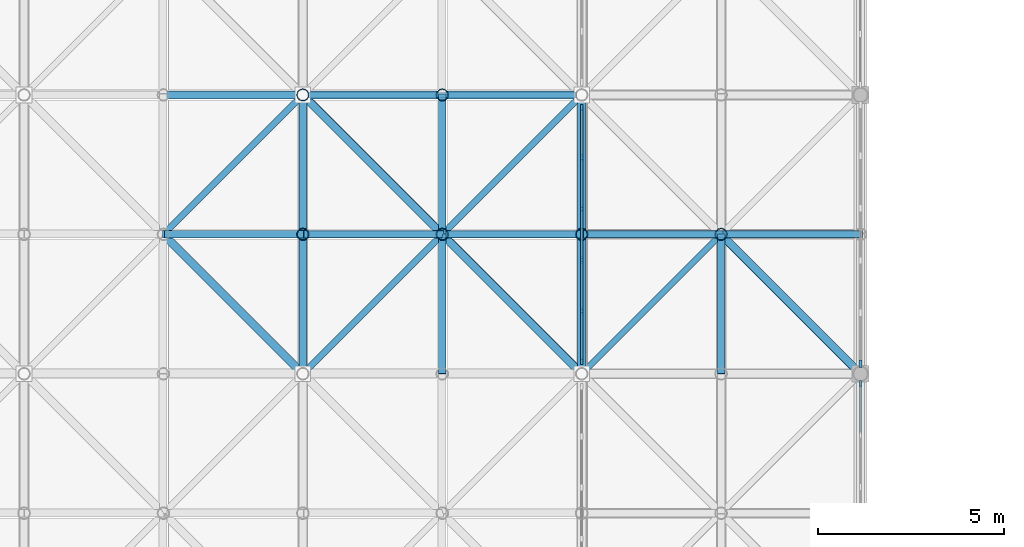
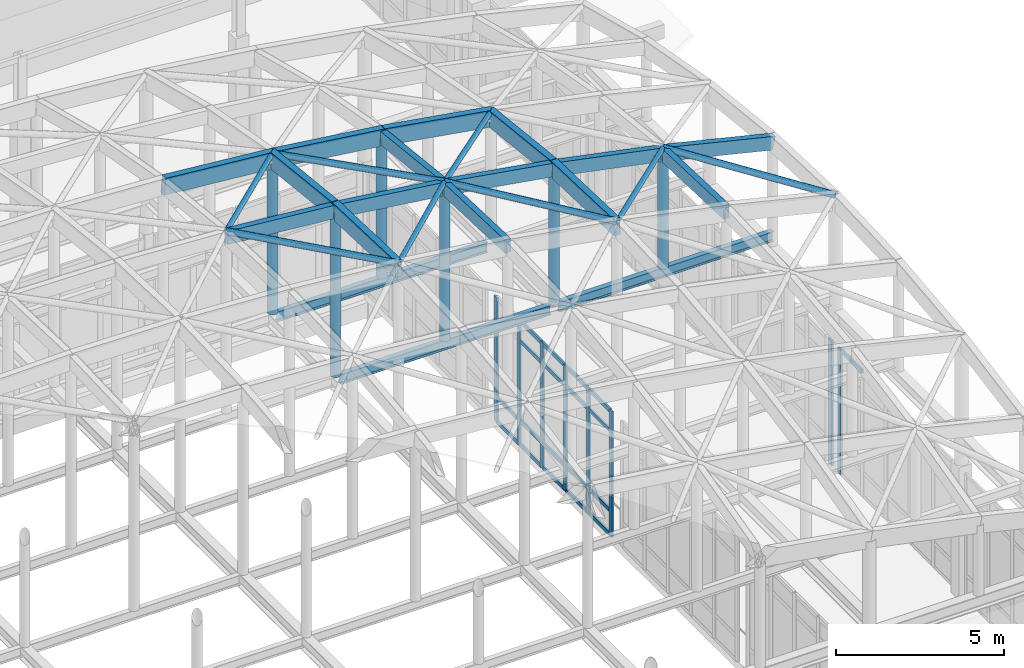
# One storey, part 46 of 131: 56 members, 3 beams, 3 elements without a shape of their own.
"""IFC4 building model written with IfcOpenShell, lengths in metres."""

import ifcopenshell
import ifcopenshell.guid

model = None  # the IFC model being written
_history = None  # IfcOwnerHistory: only IFC2X3 demands one
_inside = {}  # id of a spatial element -> (the spatial element, [elements in it])
_under = {}  # id of a project, library or spatial element -> (it, [spatial elements below it])
_declared = {}  # id of a project -> (the project, [libraries it declares])
_typed = {}  # id of a type object -> (the type object, [elements of that type])
_made_of = {}  # id of a material, layer set ... -> (it, [elements and type objects made of it])


def new_model(schema):
    """Start an empty IFC model of exactly this schema.

    Asked for "IFC4X3", IfcOpenShell would pick the latest addendum, in which some entities
    have other attributes; the version numbers below select the first issue.
    IFC2X3 requires an IfcOwnerHistory on every rooted entity: one is made here for all.
    """
    global model, _history
    if schema == "IFC4X3":
        model = ifcopenshell.file(schema_version=(4, 3, 0, 0))
    else:
        model = ifcopenshell.file(schema=schema)
    _inside.clear()
    _under.clear()
    _declared.clear()
    _typed.clear()
    _made_of.clear()
    _history = None
    if model.schema == "IFC2X3":
        org = make("IfcOrganization", Name="unknown")
        user = make(
            "IfcPersonAndOrganization",
            ThePerson=make("IfcPerson", FamilyName="unknown"),
            TheOrganization=org,
        )
        app = make(
            "IfcApplication",
            ApplicationDeveloper=org,
            Version="unknown",
            ApplicationFullName="unknown",
            ApplicationIdentifier="unknown",
        )
        _history = make(
            "IfcOwnerHistory",
            OwningUser=user,
            OwningApplication=app,
            ChangeAction="ADDED",
            CreationDate=0,
        )
    return model


def make(cls, **values):
    """One entity of the class cls with the attributes given. An attribute that is None is left unset."""
    return model.create_entity(
        cls, **{name: value for name, value in values.items() if value is not None}
    )


def rooted(cls, **values):
    """An entity with a GlobalId (a new one), such as an element, a storey or a relation."""
    return make(cls, GlobalId=ifcopenshell.guid.new(), OwnerHistory=_history, **values)


def si_unit(unit_type, name, prefix=None):
    """IfcSIUnit, for example si_unit("LENGTHUNIT", "METRE", prefix="MILLI")."""
    return make("IfcSIUnit", UnitType=unit_type, Prefix=prefix, Name=name)


def assignment(units):
    """IfcUnitAssignment: the units of a project."""
    return None if units is None else make("IfcUnitAssignment", Units=units)


def point(xyz):
    """IfcCartesianPoint."""
    return None if xyz is None else make("IfcCartesianPoint", Coordinates=xyz)


def direction(xyz):
    """IfcDirection."""
    return None if xyz is None else make("IfcDirection", DirectionRatios=xyz)


def frame(location, z_axis=None, x_axis=None):
    """IfcAxis2Placement3D, a coordinate frame: its origin and axes. An axis left out is left unset."""
    return make(
        "IfcAxis2Placement3D",
        Location=point(location),
        Axis=direction(z_axis),
        RefDirection=direction(x_axis),
    )


def frame_2d(location, x_axis=None):
    """IfcAxis2Placement2D, a coordinate frame in the plane: its origin and x axis."""
    return make(
        "IfcAxis2Placement2D", Location=point(location), RefDirection=direction(x_axis)
    )


def origin():
    """The frame at (0, 0, 0) with its axes left unset."""
    return frame((0.0, 0.0, 0.0))


def origin_2d():
    """The frame at (0, 0) in the plane with its x axis left unset."""
    return frame_2d((0.0, 0.0))


def place(relative_to, where):
    """IfcLocalPlacement: puts the frame where relative to a parent placement (None: the world)."""
    return make(
        "IfcLocalPlacement", PlacementRelTo=relative_to, RelativePlacement=where
    )


def context(
    kind, dimensions, precision=None, world=None, true_north=None, identifier=None
):
    """IfcGeometricRepresentationContext, for example the 3D "Model" context."""
    return make(
        "IfcGeometricRepresentationContext",
        ContextIdentifier=identifier,
        ContextType=kind,
        CoordinateSpaceDimension=dimensions,
        Precision=precision,
        WorldCoordinateSystem=world,
        TrueNorth=true_north,
    )


def subcontext(parent, identifier, kind, view, scale=None):
    """IfcGeometricRepresentationSubContext, for example "Body" below "Model"."""
    return make(
        "IfcGeometricRepresentationSubContext",
        ContextIdentifier=identifier,
        ContextType=kind,
        ParentContext=parent,
        TargetScale=scale,
        TargetView=view,
    )


def project(units=None, contexts=None):
    """IfcProject with its units and contexts."""
    return rooted(
        "IfcProject",
        Name="project",
        RepresentationContexts=contexts,
        UnitsInContext=assignment(units),
    )


def spatial(cls, under=None, at=None, **own):
    """A site, building, storey or space (cls), placed at a placement, below another one or the project."""
    s = rooted(cls, ObjectPlacement=at, **own)
    if under is not None:
        _under.setdefault(under.id(), (under, []))[1].append(s)
    return s


def profile(cls, at=None, kind="AREA", **sizes):
    """A parametric profile (cls). Its sizes go by their IFC names, for example OverallWidth=200.0."""
    return make(cls, ProfileType=kind, Position=at, **sizes)


def rectangle(**sizes):
    """IfcRectangleProfileDef."""
    return profile("IfcRectangleProfileDef", **sizes)


def hollow_circle(**sizes):
    """IfcCircleHollowProfileDef."""
    return profile("IfcCircleHollowProfileDef", **sizes)


def i_section(**sizes):
    """IfcIShapeProfileDef."""
    return profile("IfcIShapeProfileDef", **sizes)


def extrude(swept, where, along, depth):
    """IfcExtrudedAreaSolid: the profile swept, set in the frame where, extruded along a direction by depth."""
    return make(
        "IfcExtrudedAreaSolid",
        SweptArea=swept,
        Position=where,
        ExtrudedDirection=direction(along),
        Depth=depth,
    )


def shape(context_of_items, identifier, shape_type, items):
    """IfcShapeRepresentation: the items that make up one representation, for example the "Body"."""
    return make(
        "IfcShapeRepresentation",
        ContextOfItems=context_of_items,
        RepresentationIdentifier=identifier,
        RepresentationType=shape_type,
        Items=items,
    )


def material(Name=None, Category=None):
    """IfcMaterial."""
    return make("IfcMaterial", Name=Name, Category=Category)


def layer(
    of_material, thickness, ventilated=None, Name=None, Category=None, Priority=None
):
    """IfcMaterialLayer: one layer of a wall or slab, of a material (None: an air gap)."""
    return make(
        "IfcMaterialLayer",
        Material=of_material,
        LayerThickness=thickness,
        IsVentilated=ventilated,
        Name=Name,
        Category=Category,
        Priority=Priority,
    )


def layer_set(layers, Name=None):
    """IfcMaterialLayerSet."""
    return make("IfcMaterialLayerSet", MaterialLayers=layers, LayerSetName=Name)


def material_profile(
    of_material, cross_section, Name=None, Category=None, Priority=None
):
    """IfcMaterialProfile: a cross section and its material."""
    return make(
        "IfcMaterialProfile",
        Name=Name,
        Material=of_material,
        Profile=cross_section,
        Priority=Priority,
        Category=Category,
    )


def profile_set(profiles, Name=None, composite=None):
    """IfcMaterialProfileSet."""
    return make(
        "IfcMaterialProfileSet",
        Name=Name,
        MaterialProfiles=profiles,
        CompositeProfile=composite,
    )


def made_of(thing, what):
    """Note that an element or type object is made of a material, layer set ...; save() writes the relation."""
    if what is not None:
        _made_of.setdefault(what.id(), (what, []))[1].append(thing)
    return thing


def type_object(cls, material=None, **own):
    """A type object (cls), such as IfcWallType, which elements share."""
    return made_of(rooted(cls, **own), material)


def element(
    cls,
    number,
    at=None,
    inside=None,
    cuts=None,
    type_object=None,
    material=None,
    context=None,
    identifier="Body",
    shape_type=None,
    held_by="IfcProductDefinitionShape",
    body=None,
    shapes=None,
    **own,
):
    """One element of the class cls, such as IfcWall. Its Tag is "e" and its number.

    at: its placement. inside: the storey or other place that contains it. cuts: it is an
    opening in that element (IfcRelVoidsElement). A single representation is given by context,
    identifier, shape_type and body (its items); several are given by shapes. held_by: the class
    of the entity that holds the representations. save() writes the other relations.
    """
    e = rooted(cls, Tag="e%d" % number, ObjectPlacement=at, **own)
    if body is not None:
        shapes = [shape(context, identifier, shape_type, body)]
    if shapes is not None:
        e.Representation = make(held_by, Representations=shapes)
    if inside is not None:
        _inside.setdefault(inside.id(), (inside, []))[1].append(e)
    if cuts is not None:
        rooted(
            "IfcRelVoidsElement", RelatingBuildingElement=cuts, RelatedOpeningElement=e
        )
    if type_object is not None:
        _typed.setdefault(type_object.id(), (type_object, []))[1].append(e)
    return made_of(e, material)


def aggregate(whole, parts):
    """IfcRelAggregates: a whole, such as a stair, and the parts it consists of."""
    return rooted("IfcRelAggregates", RelatingObject=whole, RelatedObjects=parts)


def save(model, path):
    """Write the relations noted so far, then the file.

    IfcRelAggregates (storeys below a building ...), IfcRelContainedInSpatialStructure (elements
    in a storey), IfcRelDefinesByType, IfcRelAssociatesMaterial and IfcRelDeclares: one each for
    every whole, place, type object, material and project.
    """
    for whole, parts in _under.values():
        aggregate(whole, parts)
    for where, things in _inside.values():
        rooted(
            "IfcRelContainedInSpatialStructure",
            RelatedElements=things,
            RelatingStructure=where,
        )
    for kind, things in _typed.values():
        rooted("IfcRelDefinesByType", RelatedObjects=things, RelatingType=kind)
    for what, things in _made_of.values():
        rooted("IfcRelAssociatesMaterial", RelatedObjects=things, RelatingMaterial=what)
    for by, libraries in _declared.values():
        rooted("IfcRelDeclares", RelatingContext=by, RelatedDefinitions=libraries)
    model.write(path)


model = new_model("IFC4")

# Units and contexts
model_context = context("Model", 3, precision=1e-05, world=origin(), true_north=direction((0.0, 1.0)))
body_context = subcontext(model_context, "Body", "Model", "MODEL_VIEW")
ifc_project = project(units=[si_unit("LENGTHUNIT", "METRE"), si_unit("AREAUNIT", "SQUARE_METRE"), si_unit("VOLUMEUNIT", "CUBIC_METRE"), si_unit("PLANEANGLEUNIT", "RADIAN"), si_unit("MASSUNIT", "GRAM", prefix="KILO")], contexts=[model_context])

# Site, building, storey
site_placement = place(None, origin())
site = spatial("IfcSite", under=ifc_project, at=site_placement, CompositionType="ELEMENT")
building_placement = place(site_placement, origin())
building = spatial("IfcBuilding", under=site, at=building_placement, Name="Dalvernix Boulevard General Hospital", CompositionType="ELEMENT")
storey_placement = place(building_placement, frame((0.0, 0.0, 9.300048828125)))
storey = spatial("IfcBuildingStorey", under=building, at=storey_placement, Name="L02", CompositionType="ELEMENT", Elevation=9.300048828125)

# Beams
ifc_material_1 = material(Name="Steel S355", Category="steel")
ifc_material_profile_1 = material_profile(ifc_material_1, i_section(OverallWidth=0.169921875, OverallDepth=0.360107421875, WebThickness=0.008056640625, FlangeThickness=0.0126953125, FilletRadius=0.01806640625, at=origin_2d()), Name="IPE 360")
ifc_profile_set_1 = profile_set([ifc_material_profile_1], Name="Steel S355")
beam_type = type_object("IfcBeamType", Name="BM-RB-08", PredefinedType="BEAM", material=ifc_profile_set_1)
beam_1_placement = place(storey_placement, frame((97.64208984375, 50.25, 6.219970703125), z_axis=(1.0, 0.0, 0.0), x_axis=(0.0, 1.0, 0.0)))
element("IfcBeam", 1, at=beam_1_placement, inside=storey, type_object=beam_type, Name="ROOF TRUSS Gridshell cross tie 10-5", PredefinedType="BEAM", context=body_context, shape_type="SweptSolid", body=[
    extrude(i_section(OverallWidth=0.169921875, OverallDepth=0.360107421875, WebThickness=0.008056640625, FlangeThickness=0.0126953125, FilletRadius=0.01806640625, at=origin_2d()), origin(), (0.0, 0.0, 1.0), 7.2158203125),
])
beam_2_placement = place(storey_placement, frame((105.14208984375, 50.25, 6.219970703125), z_axis=(1.0, 0.0, 0.0), x_axis=(0.0, 1.0, 0.0)))
element("IfcBeam", 2, at=beam_2_placement, inside=storey, type_object=beam_type, Name="ROOF TRUSS Gridshell cross tie 12-5", PredefinedType="BEAM", context=body_context, shape_type="SweptSolid", body=[
    extrude(i_section(OverallWidth=0.169921875, OverallDepth=0.360107421875, WebThickness=0.008056640625, FlangeThickness=0.0126953125, FilletRadius=0.01806640625, at=origin_2d()), origin(), (0.0, 0.0, 1.0), 7.35791015625),
])
beam_3_placement = place(storey_placement, frame((97.64208984375, 54.0, 6.219970703125), z_axis=(1.0, 0.0, 0.0), x_axis=(0.0, 1.0, 0.0)))
element("IfcBeam", 3, at=beam_3_placement, inside=storey, type_object=beam_type, Name="ROOF TRUSS Gridshell cross tie 10-6", PredefinedType="BEAM", context=body_context, shape_type="SweptSolid", body=[
    extrude(i_section(OverallWidth=0.169921875, OverallDepth=0.360107421875, WebThickness=0.008056640625, FlangeThickness=0.0126953125, FilletRadius=0.01806640625, at=origin_2d()), origin(), (0.0, 0.0, 1.0), 7.2158203125),
])

# Curtain wall, member
ifc_material_2 = material(Name="Thermally broken aluminium and solar-control glass curtain wall", Category="aluminium")
ifc_layer_1 = layer(ifc_material_2, 0.179931640625)
ifc_layer_set_1 = layer_set([ifc_layer_1], Name="Thermally broken aluminium and solar-control glass curtain wall (CW-CW-B-70x46)")
curtain_wall_type_1 = type_object("IfcCurtainWallType", Name="CW-CW-B-70x46", PredefinedType="USERDEFINED", material=ifc_layer_set_1)
curtain_wall_1_placement = place(storey_placement, origin())
curtain_wall_1 = element("IfcCurtainWall", 4, at=curtain_wall_1_placement, inside=storey, type_object=curtain_wall_type_1, Name="L02 curtain wall CW-B-70x46 15-5", ObjectType="GLAZED FACADE", PredefinedType="USERDEFINED")
ifc_material_3 = material(Name="Aluminium EN AW-6060", Category="aluminium")
ifc_material_profile_2 = material_profile(ifc_material_3, rectangle(XDim=0.06494140625, YDim=0.179931640625, at=origin_2d()), Name="ALU MULL 65x180")
ifc_profile_set_2 = profile_set([ifc_material_profile_2], Name="Aluminium EN AW-6060")
member_type_1 = type_object("IfcMemberType", Name="MEM-CW-M2", PredefinedType="MULLION", material=ifc_profile_set_2)
member_1_placement = place(storey_placement, frame((112.5, 46.232421875, 0.0), z_axis=(0.0, 0.0, 1.0), x_axis=(1.0, 0.0, 0.0)))
member_1 = element("IfcMember", 5, at=member_1_placement, type_object=member_type_1, Name="CW-B-70x46 mullion 1", PredefinedType="MULLION", context=body_context, shape_type="SweptSolid", body=[
    extrude(rectangle(XDim=0.06494140625, YDim=0.179931640625, at=origin_2d()), origin(), (0.0, 0.0, 1.0), 4.550048828125),
])

# Curtain wall, members
ifc_layer_2 = layer(ifc_material_2, 0.179931640625)
ifc_layer_set_2 = layer_set([ifc_layer_2], Name="Thermally broken aluminium and solar-control glass curtain wall (CW-CW-B-69x46)")
curtain_wall_type_2 = type_object("IfcCurtainWallType", Name="CW-CW-B-69x46", PredefinedType="USERDEFINED", material=ifc_layer_set_2)
curtain_wall_2_placement = place(storey_placement, origin())
curtain_wall_2 = element("IfcCurtainWall", 6, at=curtain_wall_2_placement, inside=storey, type_object=curtain_wall_type_2, Name="L02 curtain wall CW-B-69x46 14-6", ObjectType="GLAZED FACADE", PredefinedType="USERDEFINED")
member_2_placement = place(storey_placement, frame((105.0, 46.842529296875, 0.0), z_axis=(0.0, 0.0, 1.0), x_axis=(-1.0, 0.0, 0.0)))
member_2 = element("IfcMember", 7, at=member_2_placement, type_object=member_type_1, Name="CW-B-69x46 mullion 1", PredefinedType="MULLION", context=body_context, shape_type="SweptSolid", body=[
    extrude(rectangle(XDim=0.06494140625, YDim=0.179931640625, at=origin_2d()), origin(), (0.0, 0.0, 1.0), 4.550048828125),
])
member_3_placement = place(storey_placement, frame((105.0, 48.18603515625, 0.0), z_axis=(0.0, 0.0, 1.0), x_axis=(-1.0, 0.0, 0.0)))
member_3 = element("IfcMember", 8, at=member_3_placement, type_object=member_type_1, Name="CW-B-69x46 mullion 2", PredefinedType="MULLION", context=body_context, shape_type="SweptSolid", body=[
    extrude(rectangle(XDim=0.06494140625, YDim=0.179931640625, at=origin_2d()), origin(), (0.0, 0.0, 1.0), 4.550048828125),
])
member_4_placement = place(storey_placement, frame((105.0, 49.56201171875, 0.0), z_axis=(0.0, 0.0, 1.0), x_axis=(-1.0, 0.0, 0.0)))
member_4 = element("IfcMember", 9, at=member_4_placement, type_object=member_type_1, Name="CW-B-69x46 mullion 3", PredefinedType="MULLION", context=body_context, shape_type="SweptSolid", body=[
    extrude(rectangle(XDim=0.06494140625, YDim=0.179931640625, at=origin_2d()), origin(), (0.0, 0.0, 1.0), 4.550048828125),
])
member_5_placement = place(storey_placement, frame((105.0, 50.93798828125, 0.0), z_axis=(0.0, 0.0, 1.0), x_axis=(-1.0, 0.0, 0.0)))
member_5 = element("IfcMember", 10, at=member_5_placement, type_object=member_type_1, Name="CW-B-69x46 mullion 4", PredefinedType="MULLION", context=body_context, shape_type="SweptSolid", body=[
    extrude(rectangle(XDim=0.06494140625, YDim=0.179931640625, at=origin_2d()), origin(), (0.0, 0.0, 1.0), 4.550048828125),
])
member_6_placement = place(storey_placement, frame((105.0, 52.31396484375, 0.0), z_axis=(0.0, 0.0, 1.0), x_axis=(-1.0, 0.0, 0.0)))
member_6 = element("IfcMember", 11, at=member_6_placement, type_object=member_type_1, Name="CW-B-69x46 mullion 5", PredefinedType="MULLION", context=body_context, shape_type="SweptSolid", body=[
    extrude(rectangle(XDim=0.06494140625, YDim=0.179931640625, at=origin_2d()), origin(), (0.0, 0.0, 1.0), 4.550048828125),
])
member_7_placement = place(storey_placement, frame((105.0, 53.657470703125, 0.0), z_axis=(0.0, 0.0, 1.0), x_axis=(-1.0, 0.0, 0.0)))
member_7 = element("IfcMember", 12, at=member_7_placement, type_object=member_type_1, Name="CW-B-69x46 mullion 6", PredefinedType="MULLION", context=body_context, shape_type="SweptSolid", body=[
    extrude(rectangle(XDim=0.06494140625, YDim=0.179931640625, at=origin_2d()), origin(), (0.0, 0.0, 1.0), 4.550048828125),
])

# Curtain wall, member
ifc_layer_3 = layer(ifc_material_2, 0.199951171875)
ifc_layer_set_3 = layer_set([ifc_layer_3], Name="Thermally broken aluminium and solar-control glass curtain wall (CW-CW-C-70x46)")
curtain_wall_type_3 = type_object("IfcCurtainWallType", Name="CW-CW-C-70x46", PredefinedType="USERDEFINED", material=ifc_layer_set_3)
curtain_wall_3_placement = place(storey_placement, origin())
curtain_wall_3 = element("IfcCurtainWall", 13, at=curtain_wall_3_placement, inside=storey, type_object=curtain_wall_type_3, Name="L02 curtain wall CW-C-70x46 15-6", ObjectType="GLAZED FACADE", PredefinedType="USERDEFINED")
ifc_material_profile_3 = material_profile(ifc_material_3, rectangle(XDim=0.070068359375, YDim=0.199951171875, at=origin_2d()), Name="ALU MULL 70x200")
ifc_profile_set_3 = profile_set([ifc_material_profile_3], Name="Aluminium EN AW-6060")
member_type_2 = type_object("IfcMemberType", Name="MEM-CW-M3", PredefinedType="MULLION", material=ifc_profile_set_3)
member_8_placement = place(storey_placement, frame((112.5, 46.77001953125, 0.0), z_axis=(0.0, 0.0, 1.0), x_axis=(1.0, 0.0, 0.0)))
member_8 = element("IfcMember", 14, at=member_8_placement, type_object=member_type_2, Name="CW-C-70x46 mullion 6", PredefinedType="MULLION", context=body_context, shape_type="SweptSolid", body=[
    extrude(rectangle(XDim=0.070068359375, YDim=0.199951171875, at=origin_2d()), origin(), (0.0, 0.0, 1.0), 4.550048828125),
])
aggregate(curtain_wall_3, [member_8])

# Member
ifc_material_profile_4 = material_profile(ifc_material_3, rectangle(XDim=0.06494140625, YDim=0.139892578125, at=origin_2d()), Name="ALU TRAN 65x140")
ifc_profile_set_4 = profile_set([ifc_material_profile_4], Name="Aluminium EN AW-6060")
member_type_3 = type_object("IfcMemberType", Name="MEM-CW-T2", PredefinedType="USERDEFINED", material=ifc_profile_set_4)
member_9_placement = place(storey_placement, frame((112.5, 46.199951171875, 4.517333984375), z_axis=(0.0, -1.0, 0.0), x_axis=(1.0, 0.0, 0.0)))
member_9 = element("IfcMember", 15, at=member_9_placement, type_object=member_type_3, Name="CW-B-70x46 transom 1.4", ObjectType="TRANSOM", PredefinedType="USERDEFINED", context=body_context, shape_type="SweptSolid", body=[
    extrude(rectangle(XDim=0.06494140625, YDim=0.139892578125, at=origin_2d()), origin(), (0.0, 0.0, 1.0), 1.308349609375),
])

aggregate(curtain_wall_1, [member_1, member_9])

member_10_placement = place(storey_placement, frame((105.0, 46.875, 0.032470703125), z_axis=(0.0, 1.0, 0.0), x_axis=(-1.0, 0.0, 0.0)))
member_10 = element("IfcMember", 16, at=member_10_placement, type_object=member_type_3, Name="CW-B-69x46 transom 1.1", ObjectType="TRANSOM", PredefinedType="USERDEFINED", context=body_context, shape_type="SweptSolid", body=[
    extrude(rectangle(XDim=0.06494140625, YDim=0.139892578125, at=origin_2d()), origin(), (0.0, 0.0, 1.0), 1.278564453125),
])

member_11_placement = place(storey_placement, frame((105.0, 46.875, 0.89990234375), z_axis=(0.0, 1.0, 0.0), x_axis=(-1.0, 0.0, 0.0)))
member_11 = element("IfcMember", 17, at=member_11_placement, type_object=member_type_3, Name="CW-B-69x46 transom 1.2", ObjectType="TRANSOM", PredefinedType="USERDEFINED", context=body_context, shape_type="SweptSolid", body=[
    extrude(rectangle(XDim=0.06494140625, YDim=0.139892578125, at=origin_2d()), origin(), (0.0, 0.0, 1.0), 1.278564453125),
])

member_12_placement = place(storey_placement, frame((105.0, 46.875, 3.800048828125), z_axis=(0.0, 1.0, 0.0), x_axis=(-1.0, 0.0, 0.0)))
member_12 = element("IfcMember", 18, at=member_12_placement, type_object=member_type_3, Name="CW-B-69x46 transom 1.3", ObjectType="TRANSOM", PredefinedType="USERDEFINED", context=body_context, shape_type="SweptSolid", body=[
    extrude(rectangle(XDim=0.06494140625, YDim=0.139892578125, at=origin_2d()), origin(), (0.0, 0.0, 1.0), 1.278564453125),
])

member_13_placement = place(storey_placement, frame((105.0, 46.875, 4.517333984375), z_axis=(0.0, 1.0, 0.0), x_axis=(-1.0, 0.0, 0.0)))
member_13 = element("IfcMember", 19, at=member_13_placement, type_object=member_type_3, Name="CW-B-69x46 transom 1.4", ObjectType="TRANSOM", PredefinedType="USERDEFINED", context=body_context, shape_type="SweptSolid", body=[
    extrude(rectangle(XDim=0.06494140625, YDim=0.139892578125, at=origin_2d()), origin(), (0.0, 0.0, 1.0), 1.278564453125),
])

member_14_placement = place(storey_placement, frame((105.0, 48.218505859375, 0.032470703125), z_axis=(0.0, 1.0, 0.0), x_axis=(-1.0, 0.0, 0.0)))
member_14 = element("IfcMember", 20, at=member_14_placement, type_object=member_type_3, Name="CW-B-69x46 transom 2.1", ObjectType="TRANSOM", PredefinedType="USERDEFINED", context=body_context, shape_type="SweptSolid", body=[
    extrude(rectangle(XDim=0.06494140625, YDim=0.139892578125, at=origin_2d()), origin(), (0.0, 0.0, 1.0), 1.31103515625),
])

member_15_placement = place(storey_placement, frame((105.0, 48.218505859375, 0.89990234375), z_axis=(0.0, 1.0, 0.0), x_axis=(-1.0, 0.0, 0.0)))
member_15 = element("IfcMember", 21, at=member_15_placement, type_object=member_type_3, Name="CW-B-69x46 transom 2.2", ObjectType="TRANSOM", PredefinedType="USERDEFINED", context=body_context, shape_type="SweptSolid", body=[
    extrude(rectangle(XDim=0.06494140625, YDim=0.139892578125, at=origin_2d()), origin(), (0.0, 0.0, 1.0), 1.31103515625),
])

member_16_placement = place(storey_placement, frame((105.0, 48.218505859375, 3.800048828125), z_axis=(0.0, 1.0, 0.0), x_axis=(-1.0, 0.0, 0.0)))
member_16 = element("IfcMember", 22, at=member_16_placement, type_object=member_type_3, Name="CW-B-69x46 transom 2.3", ObjectType="TRANSOM", PredefinedType="USERDEFINED", context=body_context, shape_type="SweptSolid", body=[
    extrude(rectangle(XDim=0.06494140625, YDim=0.139892578125, at=origin_2d()), origin(), (0.0, 0.0, 1.0), 1.31103515625),
])

member_17_placement = place(storey_placement, frame((105.0, 48.218505859375, 4.517333984375), z_axis=(0.0, 1.0, 0.0), x_axis=(-1.0, 0.0, 0.0)))
member_17 = element("IfcMember", 23, at=member_17_placement, type_object=member_type_3, Name="CW-B-69x46 transom 2.4", ObjectType="TRANSOM", PredefinedType="USERDEFINED", context=body_context, shape_type="SweptSolid", body=[
    extrude(rectangle(XDim=0.06494140625, YDim=0.139892578125, at=origin_2d()), origin(), (0.0, 0.0, 1.0), 1.31103515625),
])

member_18_placement = place(storey_placement, frame((105.0, 49.594482421875, 0.032470703125), z_axis=(0.0, 1.0, 0.0), x_axis=(-1.0, 0.0, 0.0)))
member_18 = element("IfcMember", 24, at=member_18_placement, type_object=member_type_3, Name="CW-B-69x46 transom 3.1", ObjectType="TRANSOM", PredefinedType="USERDEFINED", context=body_context, shape_type="SweptSolid", body=[
    extrude(rectangle(XDim=0.06494140625, YDim=0.139892578125, at=origin_2d()), origin(), (0.0, 0.0, 1.0), 1.31103515625),
])

member_19_placement = place(storey_placement, frame((105.0, 49.594482421875, 0.89990234375), z_axis=(0.0, 1.0, 0.0), x_axis=(-1.0, 0.0, 0.0)))
member_19 = element("IfcMember", 25, at=member_19_placement, type_object=member_type_3, Name="CW-B-69x46 transom 3.2", ObjectType="TRANSOM", PredefinedType="USERDEFINED", context=body_context, shape_type="SweptSolid", body=[
    extrude(rectangle(XDim=0.06494140625, YDim=0.139892578125, at=origin_2d()), origin(), (0.0, 0.0, 1.0), 1.31103515625),
])

member_20_placement = place(storey_placement, frame((105.0, 49.594482421875, 3.800048828125), z_axis=(0.0, 1.0, 0.0), x_axis=(-1.0, 0.0, 0.0)))
member_20 = element("IfcMember", 26, at=member_20_placement, type_object=member_type_3, Name="CW-B-69x46 transom 3.3", ObjectType="TRANSOM", PredefinedType="USERDEFINED", context=body_context, shape_type="SweptSolid", body=[
    extrude(rectangle(XDim=0.06494140625, YDim=0.139892578125, at=origin_2d()), origin(), (0.0, 0.0, 1.0), 1.31103515625),
])

member_21_placement = place(storey_placement, frame((105.0, 49.594482421875, 4.517333984375), z_axis=(0.0, 1.0, 0.0), x_axis=(-1.0, 0.0, 0.0)))
member_21 = element("IfcMember", 27, at=member_21_placement, type_object=member_type_3, Name="CW-B-69x46 transom 3.4", ObjectType="TRANSOM", PredefinedType="USERDEFINED", context=body_context, shape_type="SweptSolid", body=[
    extrude(rectangle(XDim=0.06494140625, YDim=0.139892578125, at=origin_2d()), origin(), (0.0, 0.0, 1.0), 1.31103515625),
])

member_22_placement = place(storey_placement, frame((105.0, 50.970458984375, 0.032470703125), z_axis=(0.0, 1.0, 0.0), x_axis=(-1.0, 0.0, 0.0)))
member_22 = element("IfcMember", 28, at=member_22_placement, type_object=member_type_3, Name="CW-B-69x46 transom 4.1", ObjectType="TRANSOM", PredefinedType="USERDEFINED", context=body_context, shape_type="SweptSolid", body=[
    extrude(rectangle(XDim=0.06494140625, YDim=0.139892578125, at=origin_2d()), origin(), (0.0, 0.0, 1.0), 1.31103515625),
])

member_23_placement = place(storey_placement, frame((105.0, 50.970458984375, 0.89990234375), z_axis=(0.0, 1.0, 0.0), x_axis=(-1.0, 0.0, 0.0)))
member_23 = element("IfcMember", 29, at=member_23_placement, type_object=member_type_3, Name="CW-B-69x46 transom 4.2", ObjectType="TRANSOM", PredefinedType="USERDEFINED", context=body_context, shape_type="SweptSolid", body=[
    extrude(rectangle(XDim=0.06494140625, YDim=0.139892578125, at=origin_2d()), origin(), (0.0, 0.0, 1.0), 1.31103515625),
])

member_24_placement = place(storey_placement, frame((105.0, 50.970458984375, 3.800048828125), z_axis=(0.0, 1.0, 0.0), x_axis=(-1.0, 0.0, 0.0)))
member_24 = element("IfcMember", 30, at=member_24_placement, type_object=member_type_3, Name="CW-B-69x46 transom 4.3", ObjectType="TRANSOM", PredefinedType="USERDEFINED", context=body_context, shape_type="SweptSolid", body=[
    extrude(rectangle(XDim=0.06494140625, YDim=0.139892578125, at=origin_2d()), origin(), (0.0, 0.0, 1.0), 1.31103515625),
])

member_25_placement = place(storey_placement, frame((105.0, 50.970458984375, 4.517333984375), z_axis=(0.0, 1.0, 0.0), x_axis=(-1.0, 0.0, 0.0)))
member_25 = element("IfcMember", 31, at=member_25_placement, type_object=member_type_3, Name="CW-B-69x46 transom 4.4", ObjectType="TRANSOM", PredefinedType="USERDEFINED", context=body_context, shape_type="SweptSolid", body=[
    extrude(rectangle(XDim=0.06494140625, YDim=0.139892578125, at=origin_2d()), origin(), (0.0, 0.0, 1.0), 1.31103515625),
])

member_26_placement = place(storey_placement, frame((105.0, 52.346435546875, 0.032470703125), z_axis=(0.0, 1.0, 0.0), x_axis=(-1.0, 0.0, 0.0)))
member_26 = element("IfcMember", 32, at=member_26_placement, type_object=member_type_3, Name="CW-B-69x46 transom 5.1", ObjectType="TRANSOM", PredefinedType="USERDEFINED", context=body_context, shape_type="SweptSolid", body=[
    extrude(rectangle(XDim=0.06494140625, YDim=0.139892578125, at=origin_2d()), origin(), (0.0, 0.0, 1.0), 1.278564453125),
])

member_27_placement = place(storey_placement, frame((105.0, 52.346435546875, 0.89990234375), z_axis=(0.0, 1.0, 0.0), x_axis=(-1.0, 0.0, 0.0)))
member_27 = element("IfcMember", 33, at=member_27_placement, type_object=member_type_3, Name="CW-B-69x46 transom 5.2", ObjectType="TRANSOM", PredefinedType="USERDEFINED", context=body_context, shape_type="SweptSolid", body=[
    extrude(rectangle(XDim=0.06494140625, YDim=0.139892578125, at=origin_2d()), origin(), (0.0, 0.0, 1.0), 1.278564453125),
])

aggregate(curtain_wall_2, [member_2, member_3, member_4, member_5, member_6, member_7, member_10, member_11, member_12, member_13, member_14, member_15, member_16, member_17, member_18, member_19, member_20, member_21, member_22, member_23, member_24, member_25, member_26, member_27])

# Members
ifc_material_4 = material(Name="Glulam GL28h", Category="wood")
ifc_material_profile_5 = material_profile(ifc_material_4, rectangle(XDim=0.219970703125, YDim=0.60009765625, at=origin_2d()), Name="GL28h 220x600")
ifc_profile_set_5 = profile_set([ifc_material_profile_5], Name="Glulam GL28h")
member_type_4 = type_object("IfcMemberType", Name="MEM-GS-C1", PredefinedType="CHORD", material=ifc_profile_set_5)
member_28_placement = place(storey_placement, frame((93.75, 54.0, 12.322265625), z_axis=(0.995747945021, 0.0, -0.092119650382), x_axis=(0.0, 1.0, 0.0)))
element("IfcMember", 34, at=member_28_placement, inside=storey, type_object=member_type_4, Name="ROOF TRUSS Gridshell E-W glulam rib 10-7", PredefinedType="CHORD", context=body_context, shape_type="SweptSolid", body=[
    extrude(rectangle(XDim=0.219970703125, YDim=0.60009765625, at=origin_2d()), origin(), (0.0, 0.0, 1.0), 3.76611328125),
])
member_29_placement = place(storey_placement, frame((97.5, 54.0, 11.975341796875), z_axis=(0.99171987465, 0.0, -0.128419975956), x_axis=(0.0, 1.0, 0.0)))
element("IfcMember", 35, at=member_29_placement, inside=storey, type_object=member_type_4, Name="ROOF TRUSS Gridshell E-W glulam rib 11-7", PredefinedType="CHORD", context=body_context, shape_type="SweptSolid", body=[
    extrude(rectangle(XDim=0.219970703125, YDim=0.60009765625, at=origin_2d()), origin(), (0.0, 0.0, 1.0), 3.78125),
])
member_30_placement = place(storey_placement, frame((101.25, 54.0, 11.48974609375), z_axis=(0.98641474393, 0.0, -0.164274017902), x_axis=(0.0, 1.0, 0.0)))
element("IfcMember", 36, at=member_30_placement, inside=storey, type_object=member_type_4, Name="ROOF TRUSS Gridshell E-W glulam rib 12-7", PredefinedType="CHORD", context=body_context, shape_type="SweptSolid", body=[
    extrude(rectangle(XDim=0.219970703125, YDim=0.60009765625, at=origin_2d()), origin(), (0.0, 0.0, 1.0), 3.8017578125),
])
member_31_placement = place(storey_placement, frame((97.5, 46.5, 12.525390625), z_axis=(0.0, 0.999328931228, -0.036629048716), x_axis=(-1.0, 0.0, 0.0)))
element("IfcMember", 37, at=member_31_placement, inside=storey, type_object=member_type_4, Name="ROOF TRUSS Gridshell N-S glulam rib 11-5", PredefinedType="CHORD", context=body_context, shape_type="SweptSolid", body=[
    extrude(rectangle(XDim=0.219970703125, YDim=0.60009765625, at=origin_2d()), origin(), (0.0, 0.0, 1.0), 3.75244140625),
])
member_32_placement = place(storey_placement, frame((97.5, 50.25, 12.387939453125), z_axis=(0.0, 0.994001542248, -0.109366055104), x_axis=(-1.0, 0.0, 0.0)))
element("IfcMember", 38, at=member_32_placement, inside=storey, type_object=member_type_4, Name="ROOF TRUSS Gridshell N-S glulam rib 11-6", PredefinedType="CHORD", context=body_context, shape_type="SweptSolid", body=[
    extrude(rectangle(XDim=0.219970703125, YDim=0.60009765625, at=origin_2d()), origin(), (0.0, 0.0, 1.0), 3.772705078125),
])
member_33_placement = place(storey_placement, frame((105.0, 46.5, 11.415283203125), z_axis=(0.0, 0.999328931228, -0.036629048716), x_axis=(-1.0, 0.0, 0.0)))
element("IfcMember", 39, at=member_33_placement, inside=storey, type_object=member_type_4, Name="ROOF TRUSS Gridshell N-S glulam rib 13-5", PredefinedType="CHORD", context=body_context, shape_type="SweptSolid", body=[
    extrude(rectangle(XDim=0.219970703125, YDim=0.60009765625, at=origin_2d()), origin(), (0.0, 0.0, 1.0), 3.75244140625),
])
member_34_placement = place(storey_placement, frame((105.0, 50.25, 11.27783203125), z_axis=(0.0, 0.994001542248, -0.109366055104), x_axis=(-1.0, 0.0, 0.0)))
element("IfcMember", 40, at=member_34_placement, inside=storey, type_object=member_type_4, Name="ROOF TRUSS Gridshell N-S glulam rib 13-6", PredefinedType="CHORD", context=body_context, shape_type="SweptSolid", body=[
    extrude(rectangle(XDim=0.219970703125, YDim=0.60009765625, at=origin_2d()), origin(), (0.0, 0.0, 1.0), 3.772705078125),
])
ifc_material_profile_6 = material_profile(ifc_material_4, rectangle(XDim=0.199951171875, YDim=0.47998046875, at=origin_2d()), Name="GL28h 200x480")
ifc_profile_set_6 = profile_set([ifc_material_profile_6], Name="Glulam GL28h")
member_type_5 = type_object("IfcMemberType", Name="MEM-GS-C2", PredefinedType="CHORD", material=ifc_profile_set_6)
member_35_placement = place(storey_placement, frame((93.75, 50.25, 12.73486328125), z_axis=(0.995747945021, 0.0, -0.092119650382), x_axis=(0.0, 1.0, 0.0)))
element("IfcMember", 41, at=member_35_placement, inside=storey, type_object=member_type_5, Name="ROOF TRUSS Gridshell E-W glulam rib 10-6", PredefinedType="CHORD", context=body_context, shape_type="SweptSolid", body=[
    extrude(rectangle(XDim=0.199951171875, YDim=0.47998046875, at=origin_2d()), origin(), (0.0, 0.0, 1.0), 3.76611328125),
])
member_36_placement = place(storey_placement, frame((97.5, 50.25, 12.387939453125), z_axis=(0.99171987465, 0.0, -0.128419975956), x_axis=(0.0, 1.0, 0.0)))
element("IfcMember", 42, at=member_36_placement, inside=storey, type_object=member_type_5, Name="ROOF TRUSS Gridshell E-W glulam rib 11-6", PredefinedType="CHORD", context=body_context, shape_type="SweptSolid", body=[
    extrude(rectangle(XDim=0.199951171875, YDim=0.47998046875, at=origin_2d()), origin(), (0.0, 0.0, 1.0), 3.78125),
])
member_37_placement = place(storey_placement, frame((101.25, 50.25, 11.90234375), z_axis=(0.98641474393, 0.0, -0.164274017902), x_axis=(0.0, 1.0, 0.0)))
element("IfcMember", 43, at=member_37_placement, inside=storey, type_object=member_type_5, Name="ROOF TRUSS Gridshell E-W glulam rib 12-6", PredefinedType="CHORD", context=body_context, shape_type="SweptSolid", body=[
    extrude(rectangle(XDim=0.199951171875, YDim=0.47998046875, at=origin_2d()), origin(), (0.0, 0.0, 1.0), 3.8017578125),
])
member_38_placement = place(storey_placement, frame((105.0, 50.25, 11.27783203125), z_axis=(0.979900110741, 0.0, -0.199488779055), x_axis=(0.0, 1.0, 0.0)))
element("IfcMember", 44, at=member_38_placement, inside=storey, type_object=member_type_5, Name="ROOF TRUSS Gridshell E-W glulam rib 13-6", PredefinedType="CHORD", context=body_context, shape_type="SweptSolid", body=[
    extrude(rectangle(XDim=0.199951171875, YDim=0.47998046875, at=origin_2d()), origin(), (0.0, 0.0, 1.0), 3.826904296875),
])
member_39_placement = place(storey_placement, frame((108.75, 50.25, 10.514404296875), z_axis=(0.972278025754, 0.0, -0.233827801246), x_axis=(0.0, 1.0, 0.0)))
element("IfcMember", 45, at=member_39_placement, inside=storey, type_object=member_type_5, Name="ROOF TRUSS Gridshell E-W glulam rib 14-6", PredefinedType="CHORD", context=body_context, shape_type="SweptSolid", body=[
    extrude(rectangle(XDim=0.199951171875, YDim=0.47998046875, at=origin_2d()), origin(), (0.0, 0.0, 1.0), 3.85693359375),
])
member_40_placement = place(storey_placement, frame((101.25, 46.5, 12.039794921875), z_axis=(0.0, 0.999328931228, -0.036629048716), x_axis=(-1.0, 0.0, 0.0)))
element("IfcMember", 46, at=member_40_placement, inside=storey, type_object=member_type_5, Name="ROOF TRUSS Gridshell N-S glulam rib 12-5", PredefinedType="CHORD", context=body_context, shape_type="SweptSolid", body=[
    extrude(rectangle(XDim=0.199951171875, YDim=0.47998046875, at=origin_2d()), origin(), (0.0, 0.0, 1.0), 3.75244140625),
])
member_41_placement = place(storey_placement, frame((101.25, 50.25, 11.90234375), z_axis=(0.0, 0.994001542248, -0.109366055104), x_axis=(-1.0, 0.0, 0.0)))
element("IfcMember", 47, at=member_41_placement, inside=storey, type_object=member_type_5, Name="ROOF TRUSS Gridshell N-S glulam rib 12-6", PredefinedType="CHORD", context=body_context, shape_type="SweptSolid", body=[
    extrude(rectangle(XDim=0.199951171875, YDim=0.47998046875, at=origin_2d()), origin(), (0.0, 0.0, 1.0), 3.772705078125),
])
member_42_placement = place(storey_placement, frame((108.75, 46.5, 10.65185546875), z_axis=(0.0, 0.999328931228, -0.036629048716), x_axis=(-1.0, 0.0, 0.0)))
element("IfcMember", 48, at=member_42_placement, inside=storey, type_object=member_type_5, Name="ROOF TRUSS Gridshell N-S glulam rib 14-5", PredefinedType="CHORD", context=body_context, shape_type="SweptSolid", body=[
    extrude(rectangle(XDim=0.199951171875, YDim=0.47998046875, at=origin_2d()), origin(), (0.0, 0.0, 1.0), 3.75244140625),
])
ifc_material_profile_7 = material_profile(ifc_material_1, hollow_circle(Radius=0.161865234375, WallThickness=0.012451171875, at=origin_2d()), Name="CHS 323.9x12.5")
ifc_profile_set_7 = profile_set([ifc_material_profile_7], Name="Steel S355")
member_type_6 = type_object("IfcMemberType", Name="MEM-GS-C3", PredefinedType="CHORD", material=ifc_profile_set_7)
member_43_placement = place(storey_placement, frame((97.5, 50.25, 6.39990234375), z_axis=(0.0, 0.0, 1.0), x_axis=(1.0, 0.0, 0.0)))
element("IfcMember", 49, at=member_43_placement, inside=storey, type_object=member_type_6, Name="ROOF TRUSS Gridshell arch queen post 10-5", PredefinedType="CHORD", context=body_context, shape_type="SweptSolid", body=[
    extrude(hollow_circle(Radius=0.161865234375, WallThickness=0.012451171875, at=origin_2d()), origin(), (0.0, 0.0, 1.0), 5.988037109375),
])
member_44_placement = place(storey_placement, frame((97.5, 54.0, 6.39990234375), z_axis=(0.0, 0.0, 1.0), x_axis=(1.0, 0.0, 0.0)))
element("IfcMember", 50, at=member_44_placement, inside=storey, type_object=member_type_6, Name="ROOF TRUSS Gridshell arch queen post 10-6", PredefinedType="CHORD", context=body_context, shape_type="SweptSolid", body=[
    extrude(hollow_circle(Radius=0.161865234375, WallThickness=0.012451171875, at=origin_2d()), origin(), (0.0, 0.0, 1.0), 5.575439453125),
])
member_45_placement = place(storey_placement, frame((101.25, 50.25, 6.39990234375), z_axis=(0.0, 0.0, 1.0), x_axis=(1.0, 0.0, 0.0)))
element("IfcMember", 51, at=member_45_placement, inside=storey, type_object=member_type_6, Name="ROOF TRUSS Gridshell arch queen post 11-5", PredefinedType="CHORD", context=body_context, shape_type="SweptSolid", body=[
    extrude(hollow_circle(Radius=0.161865234375, WallThickness=0.012451171875, at=origin_2d()), origin(), (0.0, 0.0, 1.0), 5.50244140625),
])
member_46_placement = place(storey_placement, frame((101.25, 54.0, 6.39990234375), z_axis=(0.0, 0.0, 1.0), x_axis=(1.0, 0.0, 0.0)))
element("IfcMember", 52, at=member_46_placement, inside=storey, type_object=member_type_6, Name="ROOF TRUSS Gridshell arch queen post 11-6", PredefinedType="CHORD", context=body_context, shape_type="SweptSolid", body=[
    extrude(hollow_circle(Radius=0.161865234375, WallThickness=0.012451171875, at=origin_2d()), origin(), (0.0, 0.0, 1.0), 5.08984375),
])
member_47_placement = place(storey_placement, frame((105.0, 50.25, 6.39990234375), z_axis=(0.0, 0.0, 1.0), x_axis=(1.0, 0.0, 0.0)))
element("IfcMember", 53, at=member_47_placement, inside=storey, type_object=member_type_6, Name="ROOF TRUSS Gridshell arch queen post 12-5", PredefinedType="CHORD", context=body_context, shape_type="SweptSolid", body=[
    extrude(hollow_circle(Radius=0.161865234375, WallThickness=0.012451171875, at=origin_2d()), origin(), (0.0, 0.0, 1.0), 4.8779296875),
])
member_48_placement = place(storey_placement, frame((108.75, 50.25, 6.39990234375), z_axis=(0.0, 0.0, 1.0), x_axis=(1.0, 0.0, 0.0)))
element("IfcMember", 54, at=member_48_placement, inside=storey, type_object=member_type_6, Name="ROOF TRUSS Gridshell arch queen post 13-5", PredefinedType="CHORD", context=body_context, shape_type="SweptSolid", body=[
    extrude(hollow_circle(Radius=0.161865234375, WallThickness=0.012451171875, at=origin_2d()), origin(), (0.0, 0.0, 1.0), 4.114501953125),
])
ifc_material_profile_8 = material_profile(ifc_material_1, hollow_circle(Radius=0.084228515625, WallThickness=0.00634765625, at=origin_2d()), Name="CHS 168.3x6.3")
ifc_profile_set_8 = profile_set([ifc_material_profile_8], Name="Steel S355")
member_type_7 = type_object("IfcMemberType", Name="MEM-GSD-01", PredefinedType="BRACE", material=ifc_profile_set_8)
member_49_placement = place(storey_placement, frame((93.75, 50.25, 12.9248046875), z_axis=(0.699969238826, 0.699969238826, -0.141725542497), x_axis=(-0.707106781187, 0.707106781187, 0.0)))
element("IfcMember", 55, at=member_49_placement, inside=storey, type_object=member_type_7, Name="ROOF TRUSS Gridshell diagrid tube 10-6", PredefinedType="BRACE", context=body_context, shape_type="SweptSolid", body=[
    extrude(hollow_circle(Radius=0.084228515625, WallThickness=0.00634765625, at=origin_2d()), origin(), (0.0, 0.0, 1.0), 5.357421875),
])
member_50_placement = place(storey_placement, frame((97.5, 46.5, 12.71533203125), z_axis=(0.702276900068, 0.702276900068, -0.116680380793), x_axis=(-0.707106781187, 0.707106781187, 0.0)))
element("IfcMember", 56, at=member_50_placement, inside=storey, type_object=member_type_7, Name="ROOF TRUSS Gridshell diagrid tube 11-5", PredefinedType="BRACE", context=body_context, shape_type="SweptSolid", body=[
    extrude(hollow_circle(Radius=0.084228515625, WallThickness=0.00634765625, at=origin_2d()), origin(), (0.0, 0.0, 1.0), 5.33984375),
])
member_51_placement = place(storey_placement, frame((101.25, 50.25, 12.09228515625), z_axis=(0.693961554101, 0.693961554101, -0.191923742306), x_axis=(-0.707106781187, 0.707106781187, 0.0)))
element("IfcMember", 57, at=member_51_placement, inside=storey, type_object=member_type_7, Name="ROOF TRUSS Gridshell diagrid tube 12-6", PredefinedType="BRACE", context=body_context, shape_type="SweptSolid", body=[
    extrude(hollow_circle(Radius=0.084228515625, WallThickness=0.00634765625, at=origin_2d()), origin(), (0.0, 0.0, 1.0), 5.40380859375),
])
member_52_placement = place(storey_placement, frame((105.0, 46.5, 11.605224609375), z_axis=(0.697120166477, 0.697120166477, -0.167472227494), x_axis=(-0.707106781187, 0.707106781187, 0.0)))
element("IfcMember", 58, at=member_52_placement, inside=storey, type_object=member_type_7, Name="ROOF TRUSS Gridshell diagrid tube 13-5", PredefinedType="BRACE", context=body_context, shape_type="SweptSolid", body=[
    extrude(hollow_circle(Radius=0.084228515625, WallThickness=0.00634765625, at=origin_2d()), origin(), (0.0, 0.0, 1.0), 5.37939453125),
])
ifc_material_profile_9 = material_profile(ifc_material_1, hollow_circle(Radius=0.109619140625, WallThickness=0.008056640625, at=origin_2d()), Name="CHS 219.1x8.0")
ifc_profile_set_9 = profile_set([ifc_material_profile_9], Name="Steel S355")
member_type_8 = type_object("IfcMemberType", Name="MEM-GSD-02", PredefinedType="BRACE", material=ifc_profile_set_9)
member_53_placement = place(storey_placement, frame((97.5, 46.5, 12.71533203125), z_axis=(-0.706555834786, 0.706555834786, 0.039467767334), x_axis=(-0.707106781187, -0.707106781187, 0.0)))
element("IfcMember", 59, at=member_53_placement, inside=storey, type_object=member_type_8, Name="ROOF TRUSS Gridshell diagrid tube 10-5", PredefinedType="BRACE", context=body_context, shape_type="SweptSolid", body=[
    extrude(hollow_circle(Radius=0.109619140625, WallThickness=0.008056640625, at=origin_2d()), origin(), (0.0, 0.0, 1.0), 5.307373046875),
])
member_54_placement = place(storey_placement, frame((101.25, 50.25, 12.09228515625), z_axis=(-0.707039355874, 0.707039355874, 0.013809362419), x_axis=(-0.707106781187, -0.707106781187, 0.0)))
element("IfcMember", 60, at=member_54_placement, inside=storey, type_object=member_type_8, Name="ROOF TRUSS Gridshell diagrid tube 11-6", PredefinedType="BRACE", context=body_context, shape_type="SweptSolid", body=[
    extrude(hollow_circle(Radius=0.109619140625, WallThickness=0.008056640625, at=origin_2d()), origin(), (0.0, 0.0, 1.0), 5.3037109375),
])
member_55_placement = place(storey_placement, frame((105.0, 46.5, 11.605224609375), z_axis=(-0.704143372411, 0.704143372411, 0.091456121612), x_axis=(-0.707106781187, -0.707106781187, 0.0)))
element("IfcMember", 61, at=member_55_placement, inside=storey, type_object=member_type_8, Name="ROOF TRUSS Gridshell diagrid tube 12-5", PredefinedType="BRACE", context=body_context, shape_type="SweptSolid", body=[
    extrude(hollow_circle(Radius=0.109619140625, WallThickness=0.008056640625, at=origin_2d()), origin(), (0.0, 0.0, 1.0), 5.32568359375),
])
member_56_placement = place(storey_placement, frame((112.5, 46.5, 9.93994140625), z_axis=(-0.699874001044, 0.699874001044, 0.142663118312), x_axis=(-0.707106781187, -0.707106781187, 0.0)))
element("IfcMember", 62, at=member_56_placement, inside=storey, type_object=member_type_8, Name="ROOF TRUSS Gridshell diagrid tube 14-5", PredefinedType="BRACE", context=body_context, shape_type="SweptSolid", body=[
    extrude(hollow_circle(Radius=0.109619140625, WallThickness=0.008056640625, at=origin_2d()), origin(), (0.0, 0.0, 1.0), 5.358154296875),
])

save(model, "model.ifc")
